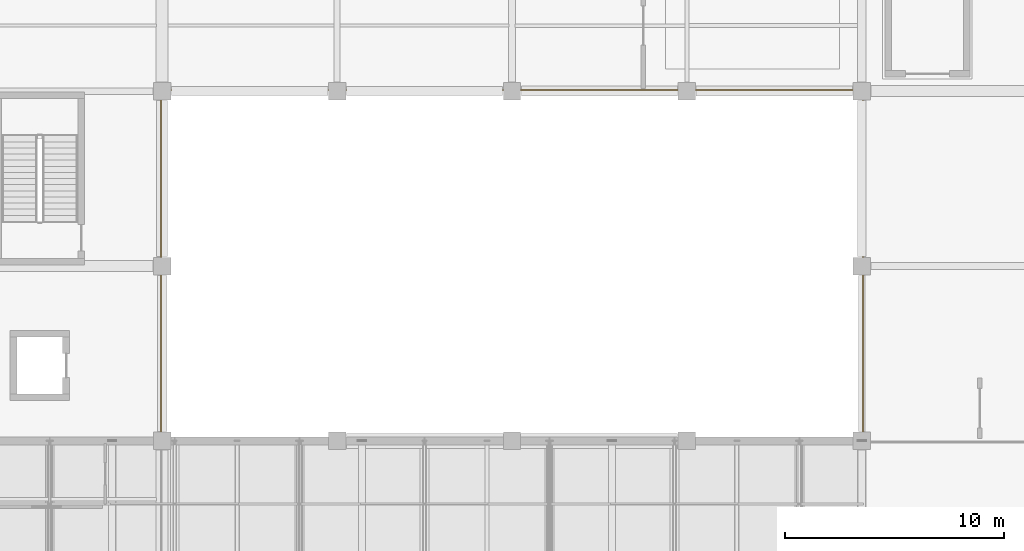
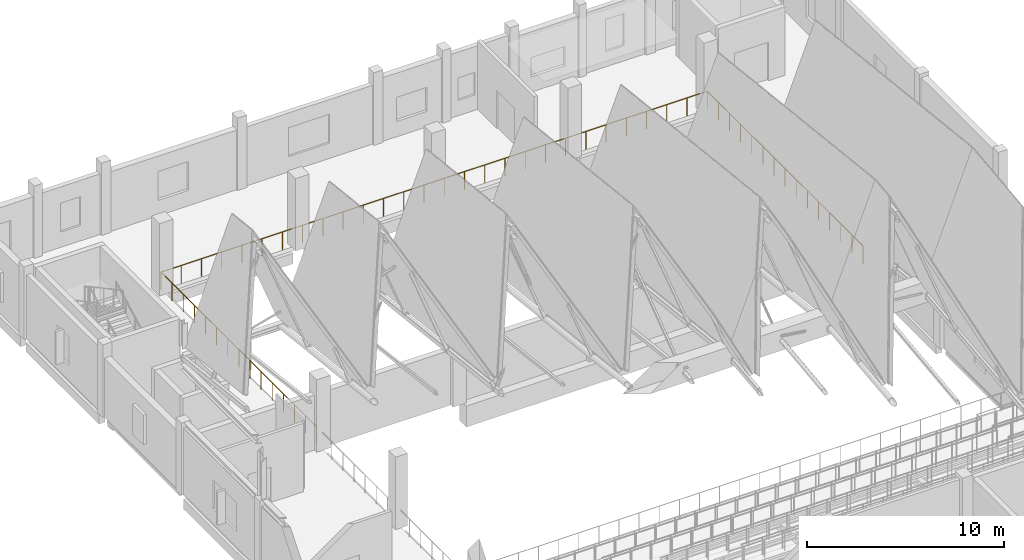
# One storey, part 71 of 77: 1 railing.
"""IFC4 building model written with IfcOpenShell, lengths in metres."""

from ifc_helpers import new_model, si_unit, direction, frame, origin, origin_2d, place, context, subcontext, project, spatial, circle, extrude, material, type_object, element, save


model = new_model("IFC4")

# Units and contexts
model_context = context("Model", 3, precision=1e-05, world=origin(), true_north=direction((0.0, 1.0)))
body_context = subcontext(model_context, "Body", "Model", "MODEL_VIEW")
ifc_project = project(units=[si_unit("LENGTHUNIT", "METRE"), si_unit("AREAUNIT", "SQUARE_METRE"), si_unit("VOLUMEUNIT", "CUBIC_METRE"), si_unit("PLANEANGLEUNIT", "RADIAN"), si_unit("MASSUNIT", "GRAM", prefix="KILO")], contexts=[model_context])

# Site, building, storey
site_placement = place(None, origin())
site = spatial("IfcSite", under=ifc_project, at=site_placement, CompositionType="ELEMENT")
building_placement = place(site_placement, origin())
building = spatial("IfcBuilding", under=site, at=building_placement, Name="Luwemba Playhouse", CompositionType="ELEMENT")
storey_placement = place(building_placement, frame((0.0, 0.0, 9.300048828125)))
storey = spatial("IfcBuildingStorey", under=building, at=storey_placement, Name="L02", CompositionType="ELEMENT", Elevation=9.300048828125)

# Railing
ifc_material = material(Name="Painted wrought-iron gallery balustrade", Category="steel")
railing_type = type_object("IfcRailingType", Name="RLG-BAL-INT", PredefinedType="BALUSTRADE", material=ifc_material)
railing_placement = place(storey_placement, frame((11.949951171875, 68.199951171875, 0.0)))
element("IfcRailing", 1, at=railing_placement, inside=storey, type_object=railing_type, Name="L02 V2 gallery void balustrade 004", PredefinedType="BALUSTRADE", context=body_context, shape_type="SweptSolid", body=[
    extrude(circle(Radius=0.02392578125, at=origin_2d()), frame((0.0, 0.0, 1.09619140625), z_axis=(0.0, 1.0, 0.0), x_axis=(-1.0, 0.0, 0.0)), (0.0, 0.0, 1.0), 15.85009765625),
    extrude(circle(Radius=0.02392578125, at=origin_2d()), frame((0.0, 15.85009765625, 1.09619140625), z_axis=(1.0, 0.0, 0.0), x_axis=(0.0, 1.0, 0.0)), (0.0, 0.0, 1.0), 32.10009765625),
    extrude(circle(Radius=0.02392578125, at=origin_2d()), frame((32.10009765625, 15.85009765625, 1.09619140625), z_axis=(0.0, -1.0, 0.0), x_axis=(1.0, 0.0, 0.0)), (0.0, 0.0, 1.0), 15.85009765625),
    extrude(circle(Radius=0.02099609375, at=origin_2d()), origin(), (0.0, 0.0, 1.0), 1.072021484375),
    extrude(circle(Radius=0.02099609375, at=origin_2d()), frame((0.0, 1.132080078125, 0.0)), (0.0, 0.0, 1.0), 1.072021484375),
    extrude(circle(Radius=0.02099609375, at=origin_2d()), frame((0.0, 2.264404296875, 0.0)), (0.0, 0.0, 1.0), 1.072021484375),
    extrude(circle(Radius=0.02099609375, at=origin_2d()), frame((0.0, 3.396484375, 0.0)), (0.0, 0.0, 1.0), 1.072021484375),
    extrude(circle(Radius=0.02099609375, at=origin_2d()), frame((0.0, 4.528564453125, 0.0)), (0.0, 0.0, 1.0), 1.072021484375),
    extrude(circle(Radius=0.02099609375, at=origin_2d()), frame((0.0, 5.66064453125, 0.0)), (0.0, 0.0, 1.0), 1.072021484375),
    extrude(circle(Radius=0.02099609375, at=origin_2d()), frame((0.0, 6.79296875, 0.0)), (0.0, 0.0, 1.0), 1.072021484375),
    extrude(circle(Radius=0.02099609375, at=origin_2d()), frame((0.0, 7.925048828125, 0.0)), (0.0, 0.0, 1.0), 1.072021484375),
    extrude(circle(Radius=0.02099609375, at=origin_2d()), frame((0.0, 9.05712890625, 0.0)), (0.0, 0.0, 1.0), 1.072021484375),
    extrude(circle(Radius=0.02099609375, at=origin_2d()), frame((0.0, 10.189453125, 0.0)), (0.0, 0.0, 1.0), 1.072021484375),
    extrude(circle(Radius=0.02099609375, at=origin_2d()), frame((0.0, 11.321533203125, 0.0)), (0.0, 0.0, 1.0), 1.072021484375),
    extrude(circle(Radius=0.02099609375, at=origin_2d()), frame((0.0, 12.45361328125, 0.0)), (0.0, 0.0, 1.0), 1.072021484375),
    extrude(circle(Radius=0.02099609375, at=origin_2d()), frame((0.0, 13.585693359375, 0.0)), (0.0, 0.0, 1.0), 1.072021484375),
    extrude(circle(Radius=0.02099609375, at=origin_2d()), frame((0.0, 14.718017578125, 0.0)), (0.0, 0.0, 1.0), 1.072021484375),
    extrude(circle(Radius=0.02099609375, at=origin_2d()), frame((0.0, 15.85009765625, 0.0)), (0.0, 0.0, 1.0), 1.072021484375),
    extrude(circle(Radius=0.02099609375, at=origin_2d()), frame((1.18896484375, 15.85009765625, 0.0)), (0.0, 0.0, 1.0), 1.072021484375),
    extrude(circle(Radius=0.02099609375, at=origin_2d()), frame((2.377685546875, 15.85009765625, 0.0)), (0.0, 0.0, 1.0), 1.072021484375),
    extrude(circle(Radius=0.02099609375, at=origin_2d()), frame((3.566650390625, 15.85009765625, 0.0)), (0.0, 0.0, 1.0), 1.072021484375),
    extrude(circle(Radius=0.02099609375, at=origin_2d()), frame((4.755615234375, 15.85009765625, 0.0)), (0.0, 0.0, 1.0), 1.072021484375),
    extrude(circle(Radius=0.02099609375, at=origin_2d()), frame((5.944580078125, 15.85009765625, 0.0)), (0.0, 0.0, 1.0), 1.072021484375),
    extrude(circle(Radius=0.02099609375, at=origin_2d()), frame((7.13330078125, 15.85009765625, 0.0)), (0.0, 0.0, 1.0), 1.072021484375),
    extrude(circle(Radius=0.02099609375, at=origin_2d()), frame((8.322265625, 15.85009765625, 0.0)), (0.0, 0.0, 1.0), 1.072021484375),
    extrude(circle(Radius=0.02099609375, at=origin_2d()), frame((9.51123046875, 15.85009765625, 0.0)), (0.0, 0.0, 1.0), 1.072021484375),
    extrude(circle(Radius=0.02099609375, at=origin_2d()), frame((10.699951171875, 15.85009765625, 0.0)), (0.0, 0.0, 1.0), 1.072021484375),
    extrude(circle(Radius=0.02099609375, at=origin_2d()), frame((11.888916015625, 15.85009765625, 0.0)), (0.0, 0.0, 1.0), 1.072021484375),
    extrude(circle(Radius=0.02099609375, at=origin_2d()), frame((13.077880859375, 15.85009765625, 0.0)), (0.0, 0.0, 1.0), 1.072021484375),
    extrude(circle(Radius=0.02099609375, at=origin_2d()), frame((14.2666015625, 15.85009765625, 0.0)), (0.0, 0.0, 1.0), 1.072021484375),
    extrude(circle(Radius=0.02099609375, at=origin_2d()), frame((15.45556640625, 15.85009765625, 0.0)), (0.0, 0.0, 1.0), 1.072021484375),
    extrude(circle(Radius=0.02099609375, at=origin_2d()), frame((16.64453125, 15.85009765625, 0.0)), (0.0, 0.0, 1.0), 1.072021484375),
    extrude(circle(Radius=0.02099609375, at=origin_2d()), frame((17.83349609375, 15.85009765625, 0.0)), (0.0, 0.0, 1.0), 1.072021484375),
    extrude(circle(Radius=0.02099609375, at=origin_2d()), frame((19.022216796875, 15.85009765625, 0.0)), (0.0, 0.0, 1.0), 1.072021484375),
    extrude(circle(Radius=0.02099609375, at=origin_2d()), frame((20.211181640625, 15.85009765625, 0.0)), (0.0, 0.0, 1.0), 1.072021484375),
    extrude(circle(Radius=0.02099609375, at=origin_2d()), frame((21.400146484375, 15.85009765625, 0.0)), (0.0, 0.0, 1.0), 1.072021484375),
    extrude(circle(Radius=0.02099609375, at=origin_2d()), frame((22.5888671875, 15.85009765625, 0.0)), (0.0, 0.0, 1.0), 1.072021484375),
    extrude(circle(Radius=0.02099609375, at=origin_2d()), frame((23.77783203125, 15.85009765625, 0.0)), (0.0, 0.0, 1.0), 1.072021484375),
    extrude(circle(Radius=0.02099609375, at=origin_2d()), frame((24.966796875, 15.85009765625, 0.0)), (0.0, 0.0, 1.0), 1.072021484375),
    extrude(circle(Radius=0.02099609375, at=origin_2d()), frame((26.155517578125, 15.85009765625, 0.0)), (0.0, 0.0, 1.0), 1.072021484375),
    extrude(circle(Radius=0.02099609375, at=origin_2d()), frame((27.344482421875, 15.85009765625, 0.0)), (0.0, 0.0, 1.0), 1.072021484375),
    extrude(circle(Radius=0.02099609375, at=origin_2d()), frame((28.533447265625, 15.85009765625, 0.0)), (0.0, 0.0, 1.0), 1.072021484375),
    extrude(circle(Radius=0.02099609375, at=origin_2d()), frame((29.722412109375, 15.85009765625, 0.0)), (0.0, 0.0, 1.0), 1.072021484375),
    extrude(circle(Radius=0.02099609375, at=origin_2d()), frame((30.9111328125, 15.85009765625, 0.0)), (0.0, 0.0, 1.0), 1.072021484375),
    extrude(circle(Radius=0.02099609375, at=origin_2d()), frame((32.10009765625, 15.85009765625, 0.0)), (0.0, 0.0, 1.0), 1.072021484375),
    extrude(circle(Radius=0.02099609375, at=origin_2d()), frame((32.10009765625, 14.718017578125, 0.0)), (0.0, 0.0, 1.0), 1.072021484375),
    extrude(circle(Radius=0.02099609375, at=origin_2d()), frame((32.10009765625, 13.585693359375, 0.0)), (0.0, 0.0, 1.0), 1.072021484375),
    extrude(circle(Radius=0.02099609375, at=origin_2d()), frame((32.10009765625, 12.45361328125, 0.0)), (0.0, 0.0, 1.0), 1.072021484375),
    extrude(circle(Radius=0.02099609375, at=origin_2d()), frame((32.10009765625, 11.321533203125, 0.0)), (0.0, 0.0, 1.0), 1.072021484375),
    extrude(circle(Radius=0.02099609375, at=origin_2d()), frame((32.10009765625, 10.189453125, 0.0)), (0.0, 0.0, 1.0), 1.072021484375),
    extrude(circle(Radius=0.02099609375, at=origin_2d()), frame((32.10009765625, 9.05712890625, 0.0)), (0.0, 0.0, 1.0), 1.072021484375),
    extrude(circle(Radius=0.02099609375, at=origin_2d()), frame((32.10009765625, 7.925048828125, 0.0)), (0.0, 0.0, 1.0), 1.072021484375),
    extrude(circle(Radius=0.02099609375, at=origin_2d()), frame((32.10009765625, 6.79296875, 0.0)), (0.0, 0.0, 1.0), 1.072021484375),
    extrude(circle(Radius=0.02099609375, at=origin_2d()), frame((32.10009765625, 5.66064453125, 0.0)), (0.0, 0.0, 1.0), 1.072021484375),
    extrude(circle(Radius=0.02099609375, at=origin_2d()), frame((32.10009765625, 4.528564453125, 0.0)), (0.0, 0.0, 1.0), 1.072021484375),
    extrude(circle(Radius=0.02099609375, at=origin_2d()), frame((32.10009765625, 3.396484375, 0.0)), (0.0, 0.0, 1.0), 1.072021484375),
    extrude(circle(Radius=0.02099609375, at=origin_2d()), frame((32.10009765625, 2.264404296875, 0.0)), (0.0, 0.0, 1.0), 1.072021484375),
    extrude(circle(Radius=0.02099609375, at=origin_2d()), frame((32.10009765625, 1.132080078125, 0.0)), (0.0, 0.0, 1.0), 1.072021484375),
    extrude(circle(Radius=0.02099609375, at=origin_2d()), frame((32.10009765625, 0.0, 0.0)), (0.0, 0.0, 1.0), 1.072021484375),
])

save(model, "model.ifc")
